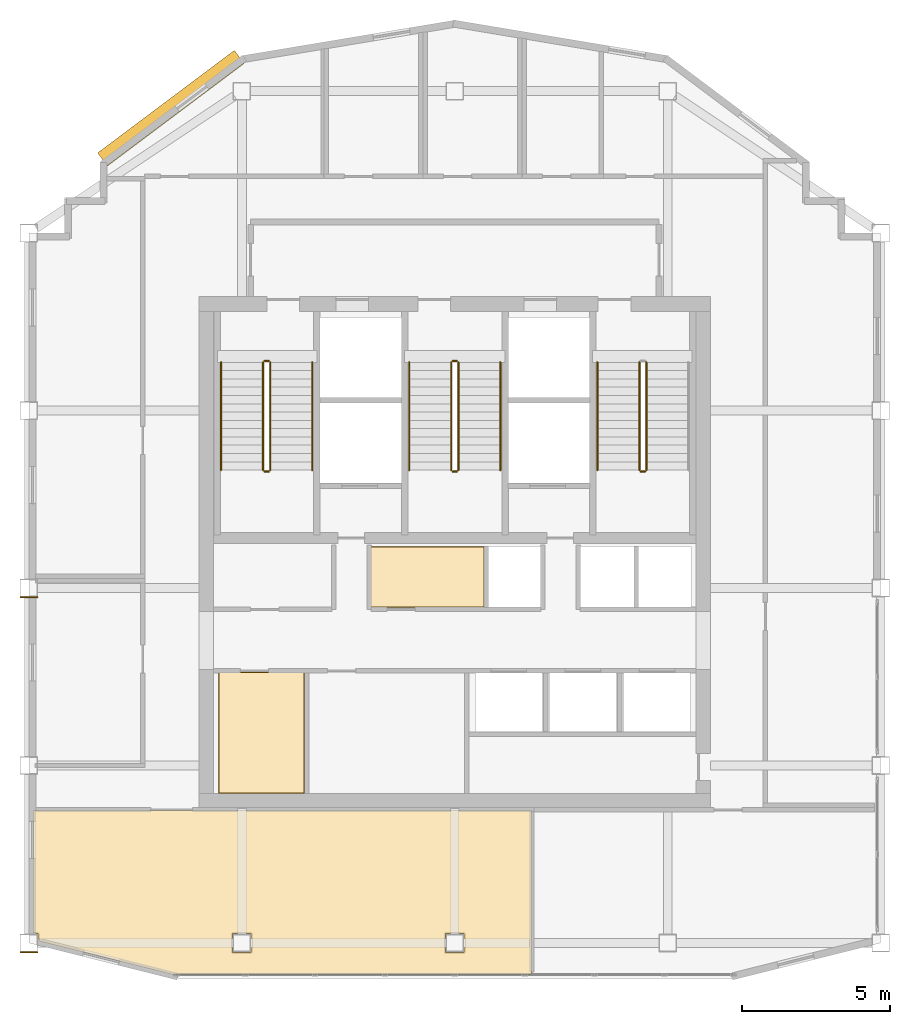
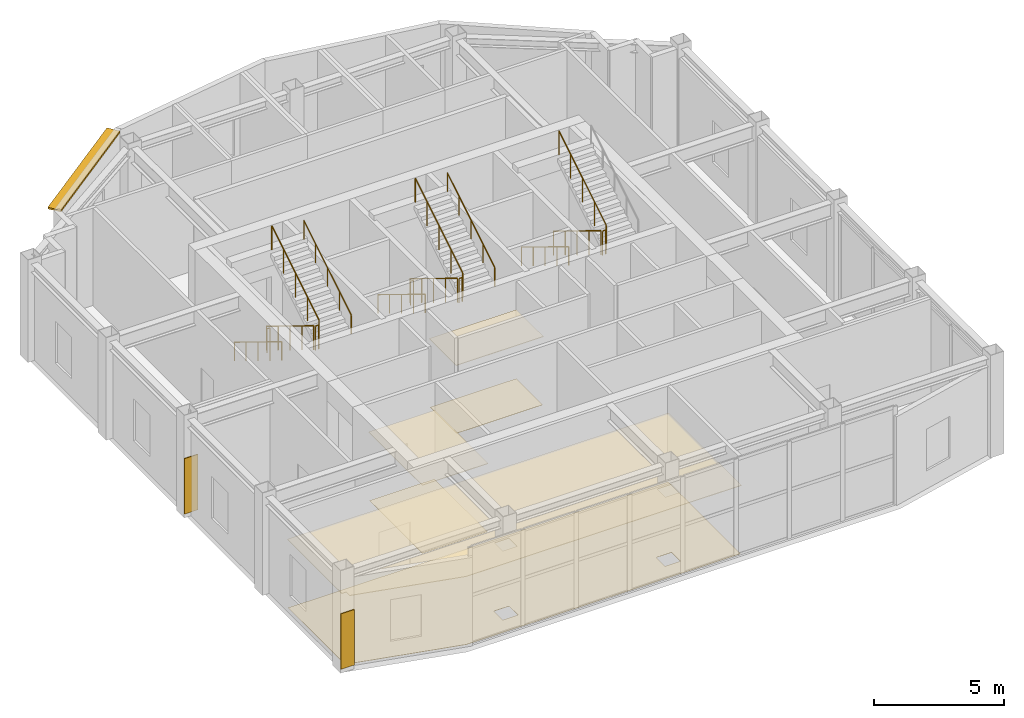
# One storey, part 10 of 11: 16 railings, 8 coverings, 1 shading device.
"""IFC4 building model written with IfcOpenShell, lengths in metres."""

from ifc_helpers import new_model, si_unit, direction, frame, origin, origin_2d, place, context, subcontext, project, spatial, polyline, rectangle, circle, outline, extrude, material, layer, layer_set, type_object, element, save


model = new_model("IFC4")

# Units and contexts
model_context = context("Model", 3, precision=1e-05, world=origin(), true_north=direction((0.0, 1.0)))
body_context = subcontext(model_context, "Body", "Model", "MODEL_VIEW")
ifc_project = project(units=[si_unit("LENGTHUNIT", "METRE"), si_unit("AREAUNIT", "SQUARE_METRE"), si_unit("VOLUMEUNIT", "CUBIC_METRE"), si_unit("PLANEANGLEUNIT", "RADIAN"), si_unit("MASSUNIT", "GRAM", prefix="KILO")], contexts=[model_context])

# Site, building, storey
site_placement = place(None, origin())
site = spatial("IfcSite", under=ifc_project, at=site_placement, CompositionType="ELEMENT")
building_placement = place(site_placement, origin())
building = spatial("IfcBuilding", under=site, at=building_placement, Name="Haolan Belvedere Tower", CompositionType="ELEMENT")
storey_placement = place(building_placement, frame((0.0, 0.0, 313.39990234375)))
storey = spatial("IfcBuildingStorey", under=building, at=storey_placement, Name="L79", CompositionType="ELEMENT", Elevation=313.39990234375)

# Coverings
ifc_material_1 = material(Name="Acoustic mineral-fibre suspended ceiling system", Category="masonry")
ifc_layer_1 = layer(ifc_material_1, 0.02490234375, Name="Acoustic mineral-fibre suspended ceiling system")
ifc_layer_set_1 = layer_set([ifc_layer_1], Name="Acoustic mineral-fibre suspended ceiling system")
covering_type_1 = type_object("IfcCoveringType", Name="COV-CEIL-AC25", PredefinedType="CEILING", material=ifc_layer_set_1)
covering_1_placement = place(storey_placement, frame((0.0, 0.0, 3.2001953125)))
element("IfcCovering", 1, at=covering_1_placement, inside=storey, type_object=covering_type_1, Name="L79 suspended acoustic ceiling L79-REUSE-PL-E.1", PredefinedType="CEILING", context=body_context, shape_type="SweptSolid", body=[
    extrude(outline(polyline([(35.548095703125, 32.93798828125), (39.412109375, 32.93798828125), (39.412109375, 35.011962890625), (35.548095703125, 35.011962890625), (35.548095703125, 32.93798828125)])), origin(), (0.0, 0.0, 1.0), 0.02490234375),
])
covering_2_placement = place(storey_placement, frame((0.0, 0.0, 3.2001953125)))
element("IfcCovering", 2, at=covering_2_placement, inside=storey, type_object=covering_type_1, Name="L79 suspended acoustic ceiling L79-REUSE-PM-A.2", PredefinedType="CEILING", context=body_context, shape_type="SweptSolid", body=[
    extrude(outline(polyline([(30.407958984375, 26.64794921875), (33.33203125, 26.64794921875), (33.33203125, 30.761962890625), (30.407958984375, 30.761962890625), (30.407958984375, 26.64794921875)])), origin(), (0.0, 0.0, 1.0), 0.02490234375),
])
covering_3_placement = place(storey_placement, frame((0.0, 0.0, 3.2001953125)))
element("IfcCovering", 3, at=covering_3_placement, inside=storey, type_object=covering_type_1, Name="L79 suspended acoustic ceiling L79-SREST.3", PredefinedType="CEILING", context=body_context, shape_type="SweptSolid", body=[
    extrude(outline(polyline([(24.117919921875, 21.9150390625), (24.31494140625, 21.9150390625), (24.31494140625, 21.642822265625), (28.814453125, 20.51806640625), (41.011962890625, 20.51806640625), (41.011962890625, 26.112060546875), (24.117919921875, 26.112060546875), (24.117919921875, 21.9150390625)]), holes=[polyline([(38.715087890625, 21.284912109375), (38.0849609375, 21.284912109375), (38.0849609375, 21.9150390625), (38.715087890625, 21.9150390625), (38.715087890625, 21.284912109375)]), polyline([(31.514892578125, 21.284912109375), (30.885009765625, 21.284912109375), (30.885009765625, 21.9150390625), (31.514892578125, 21.9150390625), (31.514892578125, 21.284912109375)])]), origin(), (0.0, 0.0, 1.0), 0.02490234375),
])
ifc_material_2 = material(Name="Pale champagne-silver anodised aluminium rainscreen cladding", Category="aluminium")
ifc_layer_2 = layer(ifc_material_2, 0.034912109375, Name="Pale champagne-silver anodised aluminium rainscreen cladding")
ifc_layer_set_2 = layer_set([ifc_layer_2], Name="Pale champagne-silver anodised aluminium rainscreen cladding")
covering_type_2 = type_object("IfcCoveringType", Name="COV-CLAD-35", PredefinedType="CLADDING", material=ifc_layer_set_2)
for number, where, z_axis, x_axis, name in (
    (4, (24.0, 21.284912109375, 0.199951171875), (0.0, 0.0, 1.0), (1.0, 0.0, 0.0), "L79 pale-metal pier rainscreen cladding 1"),
    (5, (24.0, 33.284912109375, 0.199951171875), (0.0, 0.0, 1.0), (1.0, 0.0, 0.0), "L79 pale-metal pier rainscreen cladding 2"),
):
    element("IfcCovering", number, at=place(storey_placement, frame(where, z_axis=z_axis, x_axis=x_axis)), inside=storey, type_object=covering_type_2, Name=name, PredefinedType="CLADDING", context=body_context, shape_type="SweptSolid", body=[
        extrude(rectangle(XDim=0.60009765625, YDim=0.034912109375, at=origin_2d()), origin(), (0.0, 0.0, 1.0), 2.60009765625),
    ])
ifc_material_3 = material(Name="Honed terrazzo and natural granite stone flooring", Category="masonry")
ifc_layer_3 = layer(ifc_material_3, 0.014892578125, Name="Honed terrazzo and natural granite stone flooring")
ifc_layer_set_3 = layer_set([ifc_layer_3], Name="Honed terrazzo and natural granite stone flooring")
covering_type_3 = type_object("IfcCoveringType", Name="COV-FLR-STN30", PredefinedType="FLOORING", material=ifc_layer_set_3)
covering_4_placement = place(storey_placement, origin())
element("IfcCovering", 6, at=covering_4_placement, inside=storey, type_object=covering_type_3, Name="L79 polished stone floor finish L79-REUSE-PL-E.1", PredefinedType="FLOORING", context=body_context, shape_type="SweptSolid", body=[
    extrude(outline(polyline([(39.386962890625, 32.962890625), (39.386962890625, 34.987060546875), (35.572998046875, 34.987060546875), (35.572998046875, 32.962890625), (39.386962890625, 32.962890625)])), origin(), (0.0, 0.0, 1.0), 0.01513671875),
])
covering_5_placement = place(storey_placement, origin())
element("IfcCovering", 7, at=covering_5_placement, inside=storey, type_object=covering_type_3, Name="L79 polished stone floor finish L79-REUSE-PM-A.2", PredefinedType="FLOORING", context=body_context, shape_type="SweptSolid", body=[
    extrude(outline(polyline([(33.306884765625, 26.673095703125), (33.306884765625, 30.737060546875), (30.43310546875, 30.737060546875), (30.43310546875, 26.673095703125), (33.306884765625, 26.673095703125)])), origin(), (0.0, 0.0, 1.0), 0.01513671875),
])
covering_6_placement = place(storey_placement, origin())
element("IfcCovering", 8, at=covering_6_placement, inside=storey, type_object=covering_type_3, Name="L79 polished stone floor finish L79-SREST.3", PredefinedType="FLOORING", context=body_context, shape_type="SweptSolid", body=[
    extrude(outline(polyline([(24.340087890625, 21.93994140625), (24.340087890625, 21.662353515625), (28.817626953125, 20.54296875), (40.987060546875, 20.54296875), (40.987060546875, 26.0869140625), (24.14306640625, 26.0869140625), (24.14306640625, 21.93994140625), (24.340087890625, 21.93994140625)]), holes=[polyline([(38.06005859375, 21.260009765625), (38.06005859375, 21.93994140625), (38.739990234375, 21.93994140625), (38.739990234375, 21.260009765625), (38.06005859375, 21.260009765625)]), polyline([(30.860107421875, 21.260009765625), (30.860107421875, 21.93994140625), (31.5400390625, 21.93994140625), (31.5400390625, 21.260009765625), (30.860107421875, 21.260009765625)])]), origin(), (0.0, 0.0, 1.0), 0.01513671875),
])

# Railings
ifc_material_4 = material(Name="Brushed stainless steel 304", Category="steel")
railing_type_1 = type_object("IfcRailingType", Name="RL-STAIR-GRD-1150", PredefinedType="GUARDRAIL", material=ifc_material_4)
railing_1_placement = place(storey_placement, frame((31.919921875, 41.22998046875, 0.171630859375)))
element("IfcRailing", 9, at=railing_1_placement, inside=storey, type_object=railing_type_1, Name="L79 ST1 stair guard 1", PredefinedType="GUARDRAIL", context=body_context, shape_type="SweptSolid", body=[
    extrude(circle(Radius=0.02392578125, at=origin_2d()), frame((0.0, 0.0, 1.1259765625), z_axis=(0.0, -0.852850264322, 0.5221555579), x_axis=(1.0, 0.0, 0.0)), (0.0, 0.0, 1.0), 4.267822265625),
    extrude(circle(Radius=0.02099609375, at=origin_2d()), origin(), (0.0, 0.0, 1.0), 1.101806640625),
    extrude(circle(Radius=0.02099609375, at=origin_2d()), frame((0.0, -0.909912109375, 0.55712890625)), (0.0, 0.0, 1.0), 1.101806640625),
    extrude(circle(Radius=0.02099609375, at=origin_2d()), frame((0.0, -1.81982421875, 1.1142578125)), (0.0, 0.0, 1.0), 1.101806640625),
    extrude(circle(Radius=0.02099609375, at=origin_2d()), frame((0.0, -2.72998046875, 1.67138671875)), (0.0, 0.0, 1.0), 1.101806640625),
    extrude(circle(Radius=0.02099609375, at=origin_2d()), frame((0.0, -3.639892578125, 2.228515625)), (0.0, 0.0, 1.0), 1.101806640625),
])
railing_2_placement = place(storey_placement, frame((31.969970703125, 37.5400390625, 2.400146484375)))
element("IfcRailing", 10, at=railing_2_placement, inside=storey, type_object=railing_type_1, Name="L79 ST1 stair guard 2", PredefinedType="GUARDRAIL", context=body_context, shape_type="SweptSolid", body=[
    extrude(circle(Radius=0.02392578125, at=origin_2d()), frame((0.0, 0.0, 1.1259765625), z_axis=(1.0, 0.0, 0.0), x_axis=(0.0, 1.0, 0.0)), (0.0, 0.0, 1.0), 0.14013671875),
    extrude(circle(Radius=0.02099609375, at=origin_2d()), origin(), (0.0, 0.0, 1.0), 1.101806640625),
    extrude(circle(Radius=0.02099609375, at=origin_2d()), frame((0.14013671875, 0.0, 0.0)), (0.0, 0.0, 1.0), 1.101806640625),
])
railing_3_placement = place(storey_placement, frame((32.159912109375, 37.590087890625, 2.571533203125)))
element("IfcRailing", 11, at=railing_3_placement, inside=storey, type_object=railing_type_1, Name="L79 ST1 stair guard 3", PredefinedType="GUARDRAIL", context=body_context, shape_type="SweptSolid", body=[
    extrude(circle(Radius=0.02392578125, at=origin_2d()), frame((0.0, 0.0, 1.1259765625), z_axis=(0.0, 0.852850264322, 0.5221555579), x_axis=(-1.0, 0.0, 0.0)), (0.0, 0.0, 1.0), 4.267822265625),
    extrude(circle(Radius=0.02099609375, at=origin_2d()), origin(), (0.0, 0.0, 1.0), 1.101806640625),
    extrude(circle(Radius=0.02099609375, at=origin_2d()), frame((0.0, 0.909912109375, 0.55712890625)), (0.0, 0.0, 1.0), 1.101806640625),
    extrude(circle(Radius=0.02099609375, at=origin_2d()), frame((0.0, 1.81982421875, 1.1142578125)), (0.0, 0.0, 1.0), 1.101806640625),
    extrude(circle(Radius=0.02099609375, at=origin_2d()), frame((0.0, 2.72998046875, 1.67138671875)), (0.0, 0.0, 1.0), 1.101806640625),
    extrude(circle(Radius=0.02099609375, at=origin_2d()), frame((0.0, 3.639892578125, 2.228515625)), (0.0, 0.0, 1.0), 1.101806640625),
])
railing_4_placement = place(storey_placement, frame((31.969970703125, 41.280029296875, 0.0)))
element("IfcRailing", 12, at=railing_4_placement, inside=storey, type_object=railing_type_1, Name="L79 ST1 stair guard 4", PredefinedType="GUARDRAIL", context=body_context, shape_type="SweptSolid", body=[
    extrude(circle(Radius=0.02392578125, at=origin_2d()), frame((0.0, 0.0, 1.1259765625), z_axis=(1.0, 0.0, 0.0), x_axis=(0.0, 1.0, 0.0)), (0.0, 0.0, 1.0), 0.14013671875),
    extrude(circle(Radius=0.02099609375, at=origin_2d()), origin(), (0.0, 0.0, 1.0), 1.101806640625),
    extrude(circle(Radius=0.02099609375, at=origin_2d()), frame((0.14013671875, 0.0, 0.0)), (0.0, 0.0, 1.0), 1.101806640625),
])
railing_5_placement = place(storey_placement, frame((38.280029296875, 41.22998046875, 0.171630859375)))
element("IfcRailing", 13, at=railing_5_placement, inside=storey, type_object=railing_type_1, Name="L79 ST3 stair guard 1", PredefinedType="GUARDRAIL", context=body_context, shape_type="SweptSolid", body=[
    extrude(circle(Radius=0.02392578125, at=origin_2d()), frame((0.0, 0.0, 1.1259765625), z_axis=(0.0, -0.852850264322, 0.5221555579), x_axis=(1.0, 0.0, 0.0)), (0.0, 0.0, 1.0), 4.267822265625),
    extrude(circle(Radius=0.02099609375, at=origin_2d()), origin(), (0.0, 0.0, 1.0), 1.101806640625),
    extrude(circle(Radius=0.02099609375, at=origin_2d()), frame((0.0, -0.909912109375, 0.55712890625)), (0.0, 0.0, 1.0), 1.101806640625),
    extrude(circle(Radius=0.02099609375, at=origin_2d()), frame((0.0, -1.81982421875, 1.1142578125)), (0.0, 0.0, 1.0), 1.101806640625),
    extrude(circle(Radius=0.02099609375, at=origin_2d()), frame((0.0, -2.72998046875, 1.67138671875)), (0.0, 0.0, 1.0), 1.101806640625),
    extrude(circle(Radius=0.02099609375, at=origin_2d()), frame((0.0, -3.639892578125, 2.228515625)), (0.0, 0.0, 1.0), 1.101806640625),
])
railing_6_placement = place(storey_placement, frame((38.330078125, 37.5400390625, 2.400146484375)))
element("IfcRailing", 14, at=railing_6_placement, inside=storey, type_object=railing_type_1, Name="L79 ST3 stair guard 2", PredefinedType="GUARDRAIL", context=body_context, shape_type="SweptSolid", body=[
    extrude(circle(Radius=0.02392578125, at=origin_2d()), frame((0.0, 0.0, 1.1259765625), z_axis=(1.0, 0.0, 0.0), x_axis=(0.0, 1.0, 0.0)), (0.0, 0.0, 1.0), 0.139892578125),
    extrude(circle(Radius=0.02099609375, at=origin_2d()), origin(), (0.0, 0.0, 1.0), 1.101806640625),
    extrude(circle(Radius=0.02099609375, at=origin_2d()), frame((0.139892578125, 0.0, 0.0)), (0.0, 0.0, 1.0), 1.101806640625),
])
railing_7_placement = place(storey_placement, frame((38.52001953125, 37.590087890625, 2.571533203125)))
element("IfcRailing", 15, at=railing_7_placement, inside=storey, type_object=railing_type_1, Name="L79 ST3 stair guard 3", PredefinedType="GUARDRAIL", context=body_context, shape_type="SweptSolid", body=[
    extrude(circle(Radius=0.02392578125, at=origin_2d()), frame((0.0, 0.0, 1.1259765625), z_axis=(0.0, 0.852850264322, 0.5221555579), x_axis=(-1.0, 0.0, 0.0)), (0.0, 0.0, 1.0), 4.267822265625),
    extrude(circle(Radius=0.02099609375, at=origin_2d()), origin(), (0.0, 0.0, 1.0), 1.101806640625),
    extrude(circle(Radius=0.02099609375, at=origin_2d()), frame((0.0, 0.909912109375, 0.55712890625)), (0.0, 0.0, 1.0), 1.101806640625),
    extrude(circle(Radius=0.02099609375, at=origin_2d()), frame((0.0, 1.81982421875, 1.1142578125)), (0.0, 0.0, 1.0), 1.101806640625),
    extrude(circle(Radius=0.02099609375, at=origin_2d()), frame((0.0, 2.72998046875, 1.67138671875)), (0.0, 0.0, 1.0), 1.101806640625),
    extrude(circle(Radius=0.02099609375, at=origin_2d()), frame((0.0, 3.639892578125, 2.228515625)), (0.0, 0.0, 1.0), 1.101806640625),
])
railing_8_placement = place(storey_placement, frame((38.330078125, 41.280029296875, 0.0)))
element("IfcRailing", 16, at=railing_8_placement, inside=storey, type_object=railing_type_1, Name="L79 ST3 stair guard 4", PredefinedType="GUARDRAIL", context=body_context, shape_type="SweptSolid", body=[
    extrude(circle(Radius=0.02392578125, at=origin_2d()), frame((0.0, 0.0, 1.1259765625), z_axis=(1.0, 0.0, 0.0), x_axis=(0.0, 1.0, 0.0)), (0.0, 0.0, 1.0), 0.139892578125),
    extrude(circle(Radius=0.02099609375, at=origin_2d()), origin(), (0.0, 0.0, 1.0), 1.101806640625),
    extrude(circle(Radius=0.02099609375, at=origin_2d()), frame((0.139892578125, 0.0, 0.0)), (0.0, 0.0, 1.0), 1.101806640625),
])
railing_9_placement = place(storey_placement, frame((44.639892578125, 41.22998046875, 0.171630859375)))
element("IfcRailing", 17, at=railing_9_placement, inside=storey, type_object=railing_type_1, Name="L79 ST2 stair guard 1", PredefinedType="GUARDRAIL", context=body_context, shape_type="SweptSolid", body=[
    extrude(circle(Radius=0.02392578125, at=origin_2d()), frame((0.0, 0.0, 1.1259765625), z_axis=(0.0, -0.852850264322, 0.5221555579), x_axis=(1.0, 0.0, 0.0)), (0.0, 0.0, 1.0), 4.267822265625),
    extrude(circle(Radius=0.02099609375, at=origin_2d()), origin(), (0.0, 0.0, 1.0), 1.101806640625),
    extrude(circle(Radius=0.02099609375, at=origin_2d()), frame((0.0, -0.909912109375, 0.55712890625)), (0.0, 0.0, 1.0), 1.101806640625),
    extrude(circle(Radius=0.02099609375, at=origin_2d()), frame((0.0, -1.81982421875, 1.1142578125)), (0.0, 0.0, 1.0), 1.101806640625),
    extrude(circle(Radius=0.02099609375, at=origin_2d()), frame((0.0, -2.72998046875, 1.67138671875)), (0.0, 0.0, 1.0), 1.101806640625),
    extrude(circle(Radius=0.02099609375, at=origin_2d()), frame((0.0, -3.639892578125, 2.228515625)), (0.0, 0.0, 1.0), 1.101806640625),
])
railing_10_placement = place(storey_placement, frame((44.68994140625, 37.5400390625, 2.400146484375)))
element("IfcRailing", 18, at=railing_10_placement, inside=storey, type_object=railing_type_1, Name="L79 ST2 stair guard 2", PredefinedType="GUARDRAIL", context=body_context, shape_type="SweptSolid", body=[
    extrude(circle(Radius=0.02392578125, at=origin_2d()), frame((0.0, 0.0, 1.1259765625), z_axis=(1.0, 0.0, 0.0), x_axis=(0.0, 1.0, 0.0)), (0.0, 0.0, 1.0), 0.14013671875),
    extrude(circle(Radius=0.02099609375, at=origin_2d()), origin(), (0.0, 0.0, 1.0), 1.101806640625),
    extrude(circle(Radius=0.02099609375, at=origin_2d()), frame((0.14013671875, 0.0, 0.0)), (0.0, 0.0, 1.0), 1.101806640625),
])
railing_11_placement = place(storey_placement, frame((44.8798828125, 37.590087890625, 2.571533203125)))
element("IfcRailing", 19, at=railing_11_placement, inside=storey, type_object=railing_type_1, Name="L79 ST2 stair guard 3", PredefinedType="GUARDRAIL", context=body_context, shape_type="SweptSolid", body=[
    extrude(circle(Radius=0.02392578125, at=origin_2d()), frame((0.0, 0.0, 1.1259765625), z_axis=(0.0, 0.852850264322, 0.5221555579), x_axis=(-1.0, 0.0, 0.0)), (0.0, 0.0, 1.0), 4.267822265625),
    extrude(circle(Radius=0.02099609375, at=origin_2d()), origin(), (0.0, 0.0, 1.0), 1.101806640625),
    extrude(circle(Radius=0.02099609375, at=origin_2d()), frame((0.0, 0.909912109375, 0.55712890625)), (0.0, 0.0, 1.0), 1.101806640625),
    extrude(circle(Radius=0.02099609375, at=origin_2d()), frame((0.0, 1.81982421875, 1.1142578125)), (0.0, 0.0, 1.0), 1.101806640625),
    extrude(circle(Radius=0.02099609375, at=origin_2d()), frame((0.0, 2.72998046875, 1.67138671875)), (0.0, 0.0, 1.0), 1.101806640625),
    extrude(circle(Radius=0.02099609375, at=origin_2d()), frame((0.0, 3.639892578125, 2.228515625)), (0.0, 0.0, 1.0), 1.101806640625),
])
railing_type_2 = type_object("IfcRailingType", Name="RL-STAIR-HND-900", PredefinedType="HANDRAIL", material=ifc_material_4)
railing_12_placement = place(storey_placement, frame((30.5, 41.22998046875, 0.171630859375)))
element("IfcRailing", 20, at=railing_12_placement, inside=storey, type_object=railing_type_2, Name="L79 ST1 stair handrail 1", PredefinedType="HANDRAIL", context=body_context, shape_type="SweptSolid", body=[
    extrude(circle(Radius=0.02392578125, at=origin_2d()), frame((0.0, 0.0, 0.8759765625), z_axis=(0.0, -0.852850264322, 0.5221555579), x_axis=(1.0, 0.0, 0.0)), (0.0, 0.0, 1.0), 4.267822265625),
    extrude(circle(Radius=0.02099609375, at=origin_2d()), origin(), (0.0, 0.0, 1.0), 0.851806640625),
    extrude(circle(Radius=0.02099609375, at=origin_2d()), frame((0.0, -0.909912109375, 0.55712890625)), (0.0, 0.0, 1.0), 0.851806640625),
    extrude(circle(Radius=0.02099609375, at=origin_2d()), frame((0.0, -1.81982421875, 1.1142578125)), (0.0, 0.0, 1.0), 0.851806640625),
    extrude(circle(Radius=0.02099609375, at=origin_2d()), frame((0.0, -2.72998046875, 1.67138671875)), (0.0, 0.0, 1.0), 0.851806640625),
    extrude(circle(Radius=0.02099609375, at=origin_2d()), frame((0.0, -3.639892578125, 2.228515625)), (0.0, 0.0, 1.0), 0.851806640625),
])
railing_13_placement = place(storey_placement, frame((33.580078125, 37.590087890625, 2.571533203125)))
element("IfcRailing", 21, at=railing_13_placement, inside=storey, type_object=railing_type_2, Name="L79 ST1 stair handrail 2", PredefinedType="HANDRAIL", context=body_context, shape_type="SweptSolid", body=[
    extrude(circle(Radius=0.02392578125, at=origin_2d()), frame((0.0, 0.0, 0.8759765625), z_axis=(0.0, 0.852850264322, 0.5221555579), x_axis=(-1.0, 0.0, 0.0)), (0.0, 0.0, 1.0), 4.267822265625),
    extrude(circle(Radius=0.02099609375, at=origin_2d()), origin(), (0.0, 0.0, 1.0), 0.851806640625),
    extrude(circle(Radius=0.02099609375, at=origin_2d()), frame((0.0, 0.909912109375, 0.55712890625)), (0.0, 0.0, 1.0), 0.851806640625),
    extrude(circle(Radius=0.02099609375, at=origin_2d()), frame((0.0, 1.81982421875, 1.1142578125)), (0.0, 0.0, 1.0), 0.851806640625),
    extrude(circle(Radius=0.02099609375, at=origin_2d()), frame((0.0, 2.72998046875, 1.67138671875)), (0.0, 0.0, 1.0), 0.851806640625),
    extrude(circle(Radius=0.02099609375, at=origin_2d()), frame((0.0, 3.639892578125, 2.228515625)), (0.0, 0.0, 1.0), 0.851806640625),
])
railing_14_placement = place(storey_placement, frame((36.860107421875, 41.22998046875, 0.171630859375)))
element("IfcRailing", 22, at=railing_14_placement, inside=storey, type_object=railing_type_2, Name="L79 ST3 stair handrail 1", PredefinedType="HANDRAIL", context=body_context, shape_type="SweptSolid", body=[
    extrude(circle(Radius=0.02392578125, at=origin_2d()), frame((0.0, 0.0, 0.8759765625), z_axis=(0.0, -0.852850264322, 0.5221555579), x_axis=(1.0, 0.0, 0.0)), (0.0, 0.0, 1.0), 4.267822265625),
    extrude(circle(Radius=0.02099609375, at=origin_2d()), origin(), (0.0, 0.0, 1.0), 0.851806640625),
    extrude(circle(Radius=0.02099609375, at=origin_2d()), frame((0.0, -0.909912109375, 0.55712890625)), (0.0, 0.0, 1.0), 0.851806640625),
    extrude(circle(Radius=0.02099609375, at=origin_2d()), frame((0.0, -1.81982421875, 1.1142578125)), (0.0, 0.0, 1.0), 0.851806640625),
    extrude(circle(Radius=0.02099609375, at=origin_2d()), frame((0.0, -2.72998046875, 1.67138671875)), (0.0, 0.0, 1.0), 0.851806640625),
    extrude(circle(Radius=0.02099609375, at=origin_2d()), frame((0.0, -3.639892578125, 2.228515625)), (0.0, 0.0, 1.0), 0.851806640625),
])
railing_15_placement = place(storey_placement, frame((39.93994140625, 37.590087890625, 2.571533203125)))
element("IfcRailing", 23, at=railing_15_placement, inside=storey, type_object=railing_type_2, Name="L79 ST3 stair handrail 2", PredefinedType="HANDRAIL", context=body_context, shape_type="SweptSolid", body=[
    extrude(circle(Radius=0.02392578125, at=origin_2d()), frame((0.0, 0.0, 0.8759765625), z_axis=(0.0, 0.852850264322, 0.5221555579), x_axis=(-1.0, 0.0, 0.0)), (0.0, 0.0, 1.0), 4.267822265625),
    extrude(circle(Radius=0.02099609375, at=origin_2d()), origin(), (0.0, 0.0, 1.0), 0.851806640625),
    extrude(circle(Radius=0.02099609375, at=origin_2d()), frame((0.0, 0.909912109375, 0.55712890625)), (0.0, 0.0, 1.0), 0.851806640625),
    extrude(circle(Radius=0.02099609375, at=origin_2d()), frame((0.0, 1.81982421875, 1.1142578125)), (0.0, 0.0, 1.0), 0.851806640625),
    extrude(circle(Radius=0.02099609375, at=origin_2d()), frame((0.0, 2.72998046875, 1.67138671875)), (0.0, 0.0, 1.0), 0.851806640625),
    extrude(circle(Radius=0.02099609375, at=origin_2d()), frame((0.0, 3.639892578125, 2.228515625)), (0.0, 0.0, 1.0), 0.851806640625),
])
railing_16_placement = place(storey_placement, frame((43.219970703125, 41.22998046875, 0.171630859375)))
element("IfcRailing", 24, at=railing_16_placement, inside=storey, type_object=railing_type_2, Name="L79 ST2 stair handrail 1", PredefinedType="HANDRAIL", context=body_context, shape_type="SweptSolid", body=[
    extrude(circle(Radius=0.02392578125, at=origin_2d()), frame((0.0, 0.0, 0.8759765625), z_axis=(0.0, -0.852850264322, 0.5221555579), x_axis=(1.0, 0.0, 0.0)), (0.0, 0.0, 1.0), 4.267822265625),
    extrude(circle(Radius=0.02099609375, at=origin_2d()), origin(), (0.0, 0.0, 1.0), 0.851806640625),
    extrude(circle(Radius=0.02099609375, at=origin_2d()), frame((0.0, -0.909912109375, 0.55712890625)), (0.0, 0.0, 1.0), 0.851806640625),
    extrude(circle(Radius=0.02099609375, at=origin_2d()), frame((0.0, -1.81982421875, 1.1142578125)), (0.0, 0.0, 1.0), 0.851806640625),
    extrude(circle(Radius=0.02099609375, at=origin_2d()), frame((0.0, -2.72998046875, 1.67138671875)), (0.0, 0.0, 1.0), 0.851806640625),
    extrude(circle(Radius=0.02099609375, at=origin_2d()), frame((0.0, -3.639892578125, 2.228515625)), (0.0, 0.0, 1.0), 0.851806640625),
])

# Shading device
ifc_material_5 = material(Name="Anodised champagne-silver aluminium 6063-T6", Category="aluminium")
ifc_layer_4 = layer(ifc_material_5, 0.080078125, Name="Anodised champagne-silver aluminium 6063-T6")
ifc_layer_set_4 = layer_set([ifc_layer_4], Name="Anodised champagne-silver aluminium 6063-T6")
shading_device_type = type_object("IfcShadingDeviceType", Name="SHD-SUN-550", PredefinedType="USERDEFINED", material=ifc_layer_set_4)
shading_device_placement = place(storey_placement, frame((28.80029296875, 49.8251953125, 4.4599609375), z_axis=(0.0, 0.0, 1.0), x_axis=(-0.799998928149, -0.600001429133, 0.0)))
element("IfcShadingDevice", 25, at=shading_device_placement, inside=storey, type_object=shading_device_type, Name="L79 pale-metal horizontal SUNSHADE band 11.1", ObjectType="SUNSHADE", PredefinedType="USERDEFINED", context=body_context, shape_type="SweptSolid", body=[
    extrude(rectangle(XDim=5.78076171875, YDim=0.550048828125, at=origin_2d()), origin(), (0.0, 0.0, 1.0), 0.080078125),
])

save(model, "model.ifc")
